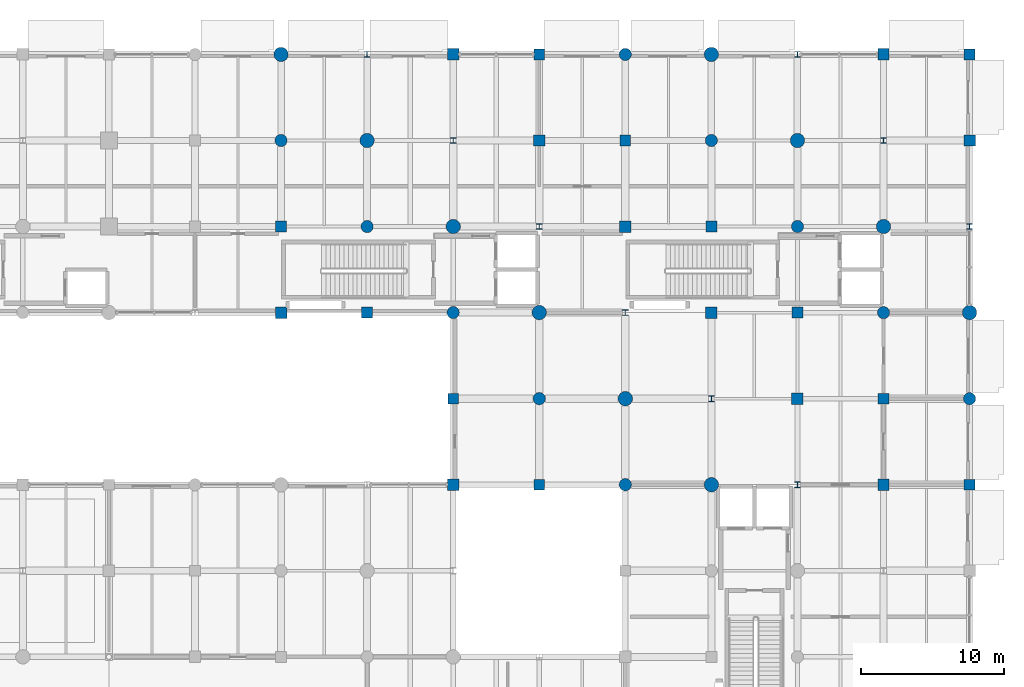
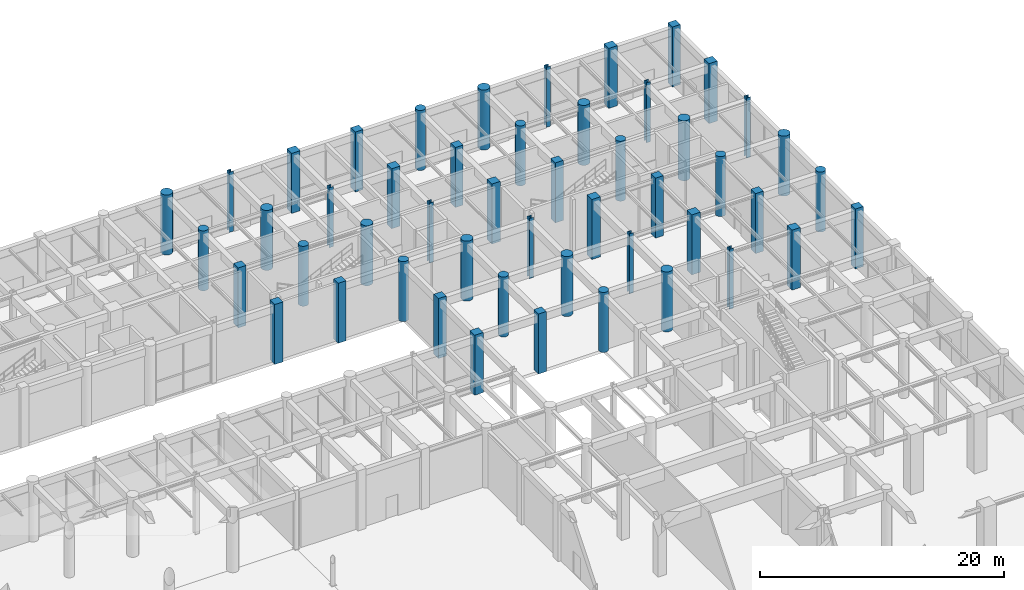
# One storey, part 19 of 106: 50 columns.
"""IFC4 building model written with IfcOpenShell, lengths in metres."""

from ifc_helpers import new_model, si_unit, direction, frame, origin, origin_2d, place, context, subcontext, project, spatial, rectangle, circle, i_section, extrude, material, material_profile, profile_set, type_object, element, save


model = new_model("IFC4")

# Units and contexts
model_context = context("Model", 3, precision=1e-05, world=origin(), true_north=direction((0.0, 1.0)))
body_context = subcontext(model_context, "Body", "Model", "MODEL_VIEW")
ifc_project = project(units=[si_unit("LENGTHUNIT", "METRE"), si_unit("AREAUNIT", "SQUARE_METRE"), si_unit("VOLUMEUNIT", "CUBIC_METRE"), si_unit("PLANEANGLEUNIT", "RADIAN"), si_unit("MASSUNIT", "GRAM", prefix="KILO"), si_unit("THERMODYNAMICTEMPERATUREUNIT", "KELVIN"), si_unit("POWERUNIT", "WATT")], contexts=[model_context])

# Site, building, storey
site_placement = place(None, origin())
site = spatial("IfcSite", under=ifc_project, at=site_placement, CompositionType="ELEMENT")
building_placement = place(site_placement, origin())
building = spatial("IfcBuilding", under=site, at=building_placement, Name="Phaisarnlok Congress Hotel", CompositionType="ELEMENT")
storey_placement = place(building_placement, origin())
storey = spatial("IfcBuildingStorey", under=building, at=storey_placement, Name="L00", CompositionType="ELEMENT", Elevation=0.0)

# Columns
ifc_material_1 = material(Name="Concrete C50/60", Category="concrete")
ifc_material_profile_1 = material_profile(ifc_material_1, rectangle(XDim=0.75, YDim=0.75, at=origin_2d()), Name="RC 750x750")
ifc_profile_set_1 = profile_set([ifc_material_profile_1], Name="Concrete C50/60")
column_type_1 = type_object("IfcColumnType", Name="COL-RC-750", PredefinedType="COLUMN", material=ifc_profile_set_1)
for number, where, z_axis, x_axis, name in (
    (1, (132.0, 114.0, 0.0), (0.0, 0.0, 1.0), (1.0, 0.0, 0.0), "Column C-06 (L00)"),
    (2, (138.0, 108.0, 0.0), (0.0, 0.0, 1.0), (1.0, 0.0, 0.0), "Column C-06 (L00)"),
    (3, (144.0, 102.0, 0.0), (0.0, 0.0, 1.0), (1.0, 0.0, 0.0), "Column C-06 (L00)"),
    (4, (150.0, 96.0, 0.0), (0.0, 0.0, 1.0), (1.0, 0.0, 0.0), "Column C-06 (L00)"),
    (5, (156.0, 120.0, 0.0), (0.0, 0.0, 1.0), (1.0, 0.0, 0.0), "Column C-06 (L00)"),
    (6, (162.0, 114.0, 0.0), (0.0, 0.0, 1.0), (1.0, 0.0, 0.0), "Column C-06 (L00)"),
    (7, (168.0, 108.0, 0.0), (0.0, 0.0, 1.0), (1.0, 0.0, 0.0), "Column C-06 (L00)"),
    (8, (174.0, 102.0, 0.0), (0.0, 0.0, 1.0), (1.0, 0.0, 0.0), "Column C-06 (L00)"),
):
    element("IfcColumn", number, at=place(storey_placement, frame(where, z_axis=z_axis, x_axis=x_axis)), inside=storey, type_object=column_type_1, Name=name, PredefinedType="COLUMN", context=body_context, shape_type="SweptSolid", body=[
        extrude(rectangle(XDim=0.75, YDim=0.75, at=origin_2d()), origin(), (0.0, 0.0, 1.0), 6.0),
    ])
ifc_material_profile_2 = material_profile(ifc_material_1, rectangle(XDim=0.75, YDim=0.75, at=origin_2d()), Name="RC 750x750")
ifc_profile_set_2 = profile_set([ifc_material_profile_2], Name="Concrete C50/60")
column_type_2 = type_object("IfcColumnType", Name="COL-RC-750-EXT", PredefinedType="COLUMN", material=ifc_profile_set_2)
for number, where, z_axis, x_axis, name in (
    (9, (150.0, 126.0, 0.0), (0.0, 0.0, 1.0), (1.0, 0.0, 0.0), "Column C-06E (L00)"),
    (10, (180.0, 96.0, 0.0), (0.0, 0.0, 1.0), (1.0, 0.0, 0.0), "Column C-06E (L00)"),
    (11, (180.0, 126.0, 0.0), (0.0, 0.0, 1.0), (1.0, 0.0, 0.0), "Column C-06E (L00)"),
):
    element("IfcColumn", number, at=place(storey_placement, frame(where, z_axis=z_axis, x_axis=x_axis)), inside=storey, type_object=column_type_2, Name=name, PredefinedType="COLUMN", context=body_context, shape_type="SweptSolid", body=[
        extrude(rectangle(XDim=0.75, YDim=0.75, at=origin_2d()), origin(), (0.0, 0.0, 1.0), 6.0),
    ])
ifc_material_profile_3 = material_profile(ifc_material_1, rectangle(XDim=0.800048828125, YDim=0.800048828125, at=origin_2d()), Name="RC 800x800")
ifc_profile_set_3 = profile_set([ifc_material_profile_3], Name="Concrete C50/60")
column_type_3 = type_object("IfcColumnType", Name="COL-RC-800", PredefinedType="COLUMN", material=ifc_profile_set_3)
for number, where, z_axis, x_axis, name in (
    (12, (132.0, 108.0, 0.0), (0.0, 0.0, 1.0), (1.0, 0.0, 0.0), "Column C-07 (L00)"),
    (13, (144.0, 96.0, 0.0), (0.0, 0.0, 1.0), (1.0, 0.0, 0.0), "Column C-07 (L00)"),
    (14, (150.0, 120.0, 0.0), (0.0, 0.0, 1.0), (1.0, 0.0, 0.0), "Column C-07 (L00)"),
    (15, (156.0, 114.0, 0.0), (0.0, 0.0, 1.0), (1.0, 0.0, 0.0), "Column C-07 (L00)"),
    (16, (162.0, 108.0, 0.0), (0.0, 0.0, 1.0), (1.0, 0.0, 0.0), "Column C-07 (L00)"),
    (17, (168.0, 102.0, 0.0), (0.0, 0.0, 1.0), (1.0, 0.0, 0.0), "Column C-07 (L00)"),
    (18, (174.0, 96.0, 0.0), (0.0, 0.0, 1.0), (1.0, 0.0, 0.0), "Column C-07 (L00)"),
):
    element("IfcColumn", number, at=place(storey_placement, frame(where, z_axis=z_axis, x_axis=x_axis)), inside=storey, type_object=column_type_3, Name=name, PredefinedType="COLUMN", context=body_context, shape_type="SweptSolid", body=[
        extrude(rectangle(XDim=0.800048828125, YDim=0.800048828125, at=origin_2d()), origin(), (0.0, 0.0, 1.0), 6.0),
    ])
ifc_material_profile_4 = material_profile(ifc_material_1, rectangle(XDim=0.800048828125, YDim=0.800048828125, at=origin_2d()), Name="RC 800x800")
ifc_profile_set_4 = profile_set([ifc_material_profile_4], Name="Concrete C50/60")
column_type_4 = type_object("IfcColumnType", Name="COL-RC-800-EXT", PredefinedType="COLUMN", material=ifc_profile_set_4)
for number, where, z_axis, x_axis, name in (
    (19, (144.0, 126.0, 0.0), (0.0, 0.0, 1.0), (1.0, 0.0, 0.0), "Column C-07E (L00)"),
    (20, (174.0, 126.0, 0.0), (0.0, 0.0, 1.0), (1.0, 0.0, 0.0), "Column C-07E (L00)"),
    (21, (180.0, 120.0, 0.0), (0.0, 0.0, 1.0), (1.0, 0.0, 0.0), "Column C-07E (L00)"),
):
    element("IfcColumn", number, at=place(storey_placement, frame(where, z_axis=z_axis, x_axis=x_axis)), inside=storey, type_object=column_type_4, Name=name, PredefinedType="COLUMN", context=body_context, shape_type="SweptSolid", body=[
        extrude(rectangle(XDim=0.800048828125, YDim=0.800048828125, at=origin_2d()), origin(), (0.0, 0.0, 1.0), 6.0),
    ])
ifc_material_profile_5 = material_profile(ifc_material_1, circle(Radius=0.5, at=origin_2d()), Name="RCC D1000")
ifc_profile_set_5 = profile_set([ifc_material_profile_5], Name="Concrete C50/60")
column_type_5 = type_object("IfcColumnType", Name="COL-RCC-1000", PredefinedType="COLUMN", material=ifc_profile_set_5)
for number, where, z_axis, x_axis, name in (
    (22, (138.0, 120.0, 0.0), (0.0, 0.0, 1.0), (1.0, 0.0, 0.0), "Column C-15 (L00)"),
    (23, (144.0, 114.0, 0.0), (0.0, 0.0, 1.0), (1.0, 0.0, 0.0), "Column C-15 (L00)"),
    (24, (150.0, 108.0, 0.0), (0.0, 0.0, 1.0), (1.0, 0.0, 0.0), "Column C-15 (L00)"),
    (25, (156.0, 102.0, 0.0), (0.0, 0.0, 1.0), (1.0, 0.0, 0.0), "Column C-15 (L00)"),
    (26, (162.0, 96.0, 0.0), (0.0, 0.0, 1.0), (1.0, 0.0, 0.0), "Column C-15 (L00)"),
    (27, (168.0, 120.0, 0.0), (0.0, 0.0, 1.0), (1.0, 0.0, 0.0), "Column C-15 (L00)"),
    (28, (174.0, 114.0, 0.0), (0.0, 0.0, 1.0), (1.0, 0.0, 0.0), "Column C-15 (L00)"),
):
    element("IfcColumn", number, at=place(storey_placement, frame(where, z_axis=z_axis, x_axis=x_axis)), inside=storey, type_object=column_type_5, Name=name, PredefinedType="COLUMN", context=body_context, shape_type="SweptSolid", body=[
        extrude(circle(Radius=0.5, at=origin_2d()), origin(), (0.0, 0.0, 1.0), 6.0),
    ])
ifc_material_profile_6 = material_profile(ifc_material_1, circle(Radius=0.5, at=origin_2d()), Name="RCC D1000")
ifc_profile_set_6 = profile_set([ifc_material_profile_6], Name="Concrete C50/60")
column_type_6 = type_object("IfcColumnType", Name="COL-RCC-1000-EXT", PredefinedType="COLUMN", material=ifc_profile_set_6)
for number, where, z_axis, x_axis, name in (
    (29, (132.0, 126.0, 0.0), (0.0, 0.0, 1.0), (1.0, 0.0, 0.0), "Column C-15E (L00)"),
    (30, (162.0, 126.0, 0.0), (0.0, 0.0, 1.0), (1.0, 0.0, 0.0), "Column C-15E (L00)"),
    (31, (180.0, 108.0, 0.0), (0.0, 0.0, 1.0), (1.0, 0.0, 0.0), "Column C-15E (L00)"),
):
    element("IfcColumn", number, at=place(storey_placement, frame(where, z_axis=z_axis, x_axis=x_axis)), inside=storey, type_object=column_type_6, Name=name, PredefinedType="COLUMN", context=body_context, shape_type="SweptSolid", body=[
        extrude(circle(Radius=0.5, at=origin_2d()), origin(), (0.0, 0.0, 1.0), 6.0),
    ])
ifc_material_profile_7 = material_profile(ifc_material_1, circle(Radius=0.425048828125, at=origin_2d()), Name="RCC D850")
ifc_profile_set_7 = profile_set([ifc_material_profile_7], Name="Concrete C50/60")
column_type_7 = type_object("IfcColumnType", Name="COL-RCC-850", PredefinedType="COLUMN", material=ifc_profile_set_7)
for number, where, z_axis, x_axis, name in (
    (32, (132.0, 120.0, 0.0), (0.0, 0.0, 1.0), (1.0, 0.0, 0.0), "Column C-14 (L00)"),
    (33, (138.0, 114.0, 0.0), (0.0, 0.0, 1.0), (1.0, 0.0, 0.0), "Column C-14 (L00)"),
    (34, (144.0, 108.0, 0.0), (0.0, 0.0, 1.0), (1.0, 0.0, 0.0), "Column C-14 (L00)"),
    (35, (150.0, 102.0, 0.0), (0.0, 0.0, 1.0), (1.0, 0.0, 0.0), "Column C-14 (L00)"),
    (36, (156.0, 96.0, 0.0), (0.0, 0.0, 1.0), (1.0, 0.0, 0.0), "Column C-14 (L00)"),
    (37, (162.0, 120.0, 0.0), (0.0, 0.0, 1.0), (1.0, 0.0, 0.0), "Column C-14 (L00)"),
    (38, (168.0, 114.0, 0.0), (0.0, 0.0, 1.0), (1.0, 0.0, 0.0), "Column C-14 (L00)"),
    (39, (174.0, 108.0, 0.0), (0.0, 0.0, 1.0), (1.0, 0.0, 0.0), "Column C-14 (L00)"),
):
    element("IfcColumn", number, at=place(storey_placement, frame(where, z_axis=z_axis, x_axis=x_axis)), inside=storey, type_object=column_type_7, Name=name, PredefinedType="COLUMN", context=body_context, shape_type="SweptSolid", body=[
        extrude(circle(Radius=0.425048828125, at=origin_2d()), origin(), (0.0, 0.0, 1.0), 6.0),
    ])
ifc_material_profile_8 = material_profile(ifc_material_1, circle(Radius=0.425048828125, at=origin_2d()), Name="RCC D850")
ifc_profile_set_8 = profile_set([ifc_material_profile_8], Name="Concrete C50/60")
column_type_8 = type_object("IfcColumnType", Name="COL-RCC-850-EXT", PredefinedType="COLUMN", material=ifc_profile_set_8)
for number, where, z_axis, x_axis, name in (
    (40, (156.0, 126.0, 0.0), (0.0, 0.0, 1.0), (1.0, 0.0, 0.0), "Column C-14E (L00)"),
    (41, (180.0, 102.0, 0.0), (0.0, 0.0, 1.0), (1.0, 0.0, 0.0), "Column C-14E (L00)"),
):
    element("IfcColumn", number, at=place(storey_placement, frame(where, z_axis=z_axis, x_axis=x_axis)), inside=storey, type_object=column_type_8, Name=name, PredefinedType="COLUMN", context=body_context, shape_type="SweptSolid", body=[
        extrude(circle(Radius=0.425048828125, at=origin_2d()), origin(), (0.0, 0.0, 1.0), 6.0),
    ])
ifc_material_2 = material(Name="Steel S355", Category="steel")
ifc_material_profile_9 = material_profile(ifc_material_2, i_section(OverallWidth=0.40087890625, OverallDepth=0.39892578125, WebThickness=0.0185546875, FlangeThickness=0.030029296875, FilletRadius=0.014892578125, at=origin_2d()), Name="HD 400x314")
ifc_profile_set_9 = profile_set([ifc_material_profile_9], Name="Steel S355")
column_type_9 = type_object("IfcColumnType", Name="COL-STL-HD314", PredefinedType="COLUMN", material=ifc_profile_set_9)
for number, where, z_axis, x_axis, name in (
    (42, (144.0, 120.0, 0.0), (0.0, 0.0, 1.0), (1.0, 0.0, 0.0), "Column SC-04 (L00)"),
    (43, (150.0, 114.0, 0.0), (0.0, 0.0, 1.0), (1.0, 0.0, 0.0), "Column SC-04 (L00)"),
    (44, (156.0, 108.0, 0.0), (0.0, 0.0, 1.0), (1.0, 0.0, 0.0), "Column SC-04 (L00)"),
    (45, (162.0, 102.0, 0.0), (0.0, 0.0, 1.0), (1.0, 0.0, 0.0), "Column SC-04 (L00)"),
    (46, (168.0, 96.0, 0.0), (0.0, 0.0, 1.0), (1.0, 0.0, 0.0), "Column SC-04 (L00)"),
    (47, (174.0, 120.0, 0.0), (0.0, 0.0, 1.0), (1.0, 0.0, 0.0), "Column SC-04 (L00)"),
):
    element("IfcColumn", number, at=place(storey_placement, frame(where, z_axis=z_axis, x_axis=x_axis)), inside=storey, type_object=column_type_9, Name=name, PredefinedType="COLUMN", context=body_context, shape_type="SweptSolid", body=[
        extrude(i_section(OverallWidth=0.40087890625, OverallDepth=0.39892578125, WebThickness=0.0185546875, FlangeThickness=0.030029296875, FilletRadius=0.014892578125, at=origin_2d()), origin(), (0.0, 0.0, 1.0), 6.0),
    ])
ifc_material_profile_10 = material_profile(ifc_material_2, i_section(OverallWidth=0.40087890625, OverallDepth=0.39892578125, WebThickness=0.0185546875, FlangeThickness=0.030029296875, FilletRadius=0.014892578125, at=origin_2d()), Name="HD 400x314")
ifc_profile_set_10 = profile_set([ifc_material_profile_10], Name="Steel S355")
column_type_10 = type_object("IfcColumnType", Name="COL-STL-HD314-EXT", PredefinedType="COLUMN", material=ifc_profile_set_10)
for number, where, z_axis, x_axis, name in (
    (48, (138.0, 126.0, 0.0), (0.0, 0.0, 1.0), (1.0, 0.0, 0.0), "Column SC-04E (L00)"),
    (49, (168.0, 126.0, 0.0), (0.0, 0.0, 1.0), (1.0, 0.0, 0.0), "Column SC-04E (L00)"),
    (50, (180.0, 114.0, 0.0), (0.0, 0.0, 1.0), (1.0, 0.0, 0.0), "Column SC-04E (L00)"),
):
    element("IfcColumn", number, at=place(storey_placement, frame(where, z_axis=z_axis, x_axis=x_axis)), inside=storey, type_object=column_type_10, Name=name, PredefinedType="COLUMN", context=body_context, shape_type="SweptSolid", body=[
        extrude(i_section(OverallWidth=0.40087890625, OverallDepth=0.39892578125, WebThickness=0.0185546875, FlangeThickness=0.030029296875, FilletRadius=0.014892578125, at=origin_2d()), origin(), (0.0, 0.0, 1.0), 6.0),
    ])

save(model, "model.ifc")
